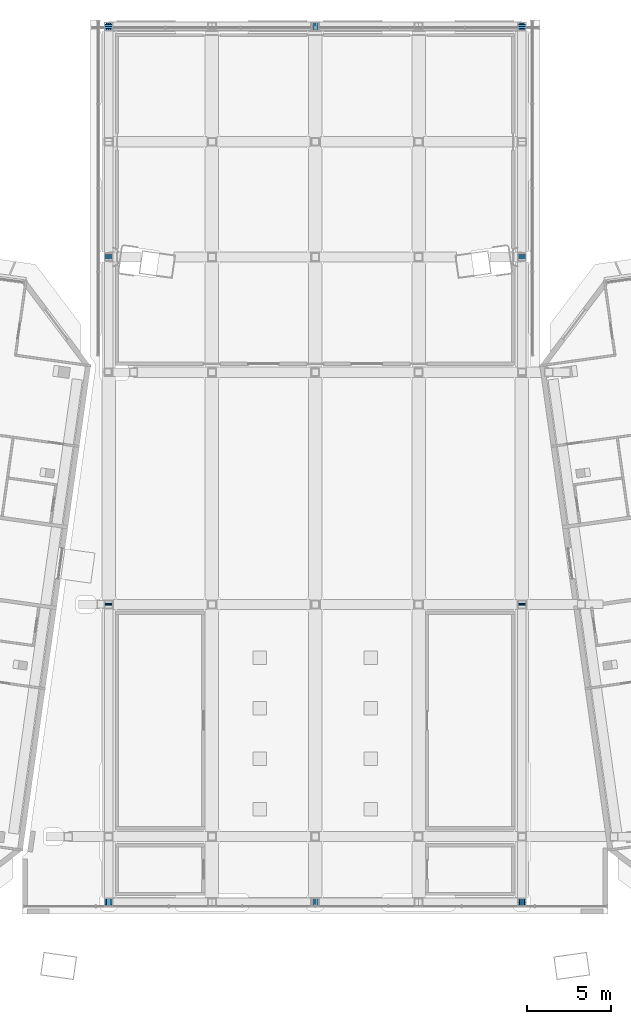
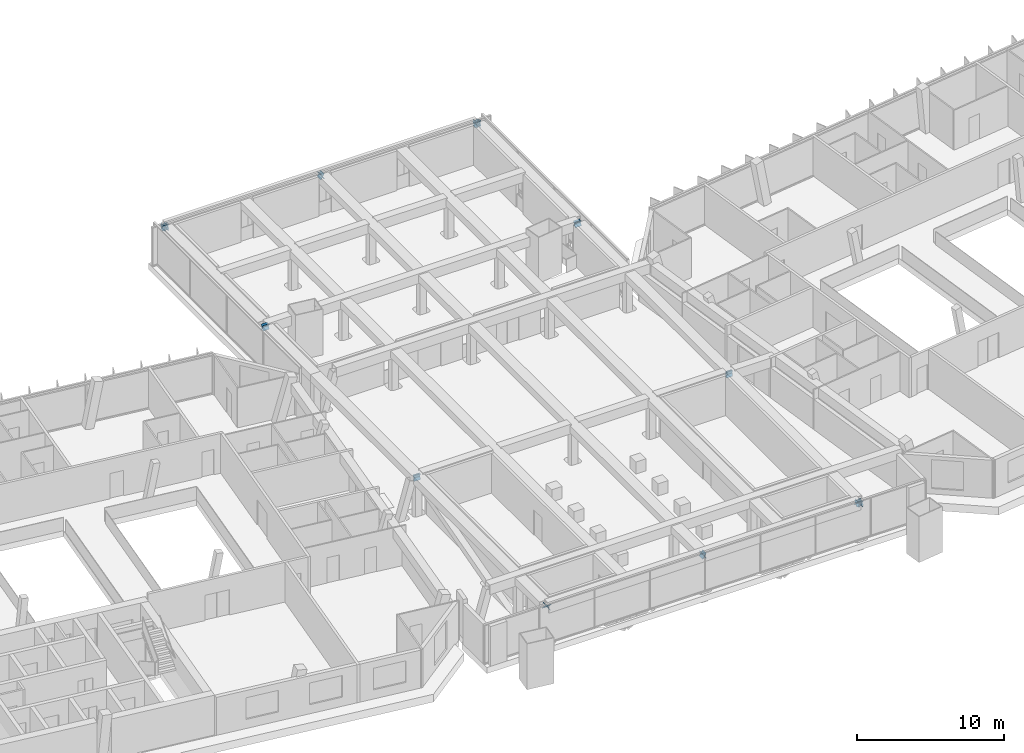
# One storey, part 23 of 28: 26 discrete accessories.
"""IFC4 building model written with IfcOpenShell, lengths in metres."""

from ifc_helpers import new_model, si_unit, direction, frame, origin, origin_2d, place, context, subcontext, project, spatial, rectangle, extrude, material, material_profile, profile_set, type_object, element, save


model = new_model("IFC4")

# Units and contexts
model_context = context("Model", 3, precision=1e-05, world=origin(), true_north=direction((0.0, 1.0)))
body_context = subcontext(model_context, "Body", "Model", "MODEL_VIEW")
ifc_project = project(units=[si_unit("LENGTHUNIT", "METRE"), si_unit("AREAUNIT", "SQUARE_METRE"), si_unit("VOLUMEUNIT", "CUBIC_METRE"), si_unit("PLANEANGLEUNIT", "RADIAN"), si_unit("MASSUNIT", "GRAM", prefix="KILO")], contexts=[model_context])

# Site, building, storey
site_placement = place(None, origin())
site = spatial("IfcSite", under=ifc_project, at=site_placement, CompositionType="ELEMENT")
building_placement = place(site_placement, origin())
building = spatial("IfcBuilding", under=site, at=building_placement, Name="Mirante Cascada Hotel Towers", CompositionType="ELEMENT")
storey_placement = place(building_placement, frame((0.0, 0.0, 262.2)))
storey = spatial("IfcBuildingStorey", under=building, at=storey_placement, Name="L63", CompositionType="ELEMENT", Elevation=262.2)

# Discrete accessories
ifc_material = material(Name="Steel ASTM A572 Gr 50", Category="steel")
ifc_material_profile = material_profile(ifc_material, rectangle(XDim=0.5, YDim=0.5, at=origin_2d()), Name="Connection plate 500x500x25 ASTM A572 Gr 50")
ifc_profile_set = profile_set([ifc_material_profile], Name="Steel ASTM A572 Gr 50")
discrete_accessory_type = type_object("IfcDiscreteAccessoryType", Name="Connection plate 500x500x25 ASTM A572 Gr 50", PredefinedType="BRACKET", material=ifc_profile_set)
for number, where, z_axis, x_axis, name in (
    (1, (-12.2514, -3.8626, 2.8967), (0.0, 0.9644862, 0.2641332), (-1.0, 0.0, 0.0), "Connection plate SP-D1"),
    (2, (-12.2514, 16.7366, 2.8939), (0.0, 0.8726425, 0.4883596), (-1.0, 0.0, 0.0), "Connection plate SP-D1"),
    (3, (-12.2514, 16.7584, 2.8939), (0.0, -0.8726425, 0.4883596), (1.0, 0.0, 0.0), "Connection plate SP-D1"),
    (4, (-12.2514, 30.4033, 2.8939), (0.0, 0.8726425, 0.4883596), (-1.0, 0.0, 0.0), "Connection plate SP-D1"),
    (5, (12.2514, -21.5063, 2.8913), (0.0, -0.7170505, 0.6970212), (1.0, 0.0, 0.0), "Connection plate SP-D5"),
    (6, (12.2514, -3.8626, 2.8967), (0.0, 0.9644862, 0.2641332), (-1.0, 0.0, 0.0), "Connection plate SP-D5"),
    (7, (12.2514, 16.7366, 2.8939), (0.0, 0.8726425, 0.4883596), (-1.0, 0.0, 0.0), "Connection plate SP-D5"),
    (8, (12.2514, 16.7584, 2.8939), (0.0, -0.8726425, 0.4883596), (1.0, 0.0, 0.0), "Connection plate SP-D5"),
    (9, (12.2514, 30.4033, 2.8939), (0.0, 0.8726425, 0.4883596), (-1.0, 0.0, 0.0), "Connection plate SP-D5"),
):
    element("IfcDiscreteAccessory", number, at=place(storey_placement, frame(where, z_axis=z_axis, x_axis=x_axis)), inside=storey, type_object=discrete_accessory_type, Name=name, PredefinedType="BRACKET", context=body_context, shape_type="SweptSolid", body=[
        extrude(rectangle(XDim=0.5, YDim=0.5, at=origin_2d()), origin(), (0.0, 0.0, 1.0), 0.025),
    ])
discrete_accessory_1_placement = place(storey_placement, frame((-12.2407, 30.4142, 2.8934), z_axis=(-0.8500099, 0.0, 0.5267667), x_axis=(0.0, -1.0, 0.0)))
element("IfcDiscreteAccessory", 10, at=discrete_accessory_1_placement, inside=storey, type_object=discrete_accessory_type, Name="Connection plate SP-ETD", PredefinedType="BRACKET", context=body_context, shape_type="SweptSolid", body=[
    extrude(rectangle(XDim=0.5, YDim=0.5, at=origin_2d()), origin(), (0.0, 0.0, 1.0), 0.0251),
])
for number, where, z_axis, x_axis, name in (
    (11, (-0.0106, 30.4142, 2.8934), (0.8488969, 0.0, 0.5285585), (0.0, 1.0, 0.0), "Connection plate SP-ETD"),
    (12, (0.0106, 30.4142, 2.8934), (-0.8488969, 0.0, 0.5285585), (0.0, -1.0, 0.0), "Connection plate SP-ETD"),
):
    element("IfcDiscreteAccessory", number, at=place(storey_placement, frame(where, z_axis=z_axis, x_axis=x_axis)), inside=storey, type_object=discrete_accessory_type, Name=name, PredefinedType="BRACKET", context=body_context, shape_type="SweptSolid", body=[
        extrude(rectangle(XDim=0.5, YDim=0.5, at=origin_2d()), origin(), (0.0, 0.0, 1.0), 0.025),
    ])
discrete_accessory_2_placement = place(storey_placement, frame((12.2407, 30.4142, 2.8934), z_axis=(0.8500099, 0.0, 0.5267667), x_axis=(0.0, 1.0, 0.0)))
element("IfcDiscreteAccessory", 13, at=discrete_accessory_2_placement, inside=storey, type_object=discrete_accessory_type, Name="Connection plate SP-ETD", PredefinedType="BRACKET", context=body_context, shape_type="SweptSolid", body=[
    extrude(rectangle(XDim=0.5, YDim=0.5, at=origin_2d()), origin(), (0.0, 0.0, 1.0), 0.0251),
])
for number, where, z_axis, x_axis, name in (
    (14, (-0.0106, -21.5153, 2.8934), (0.8488969, 0.0, 0.5285585), (0.0, 1.0, 0.0), "Connection plate SP-ERD"),
    (15, (0.0106, -21.5153, 2.8934), (-0.8488969, 0.0, 0.5285585), (0.0, -1.0, 0.0), "Connection plate SP-ERD"),
):
    element("IfcDiscreteAccessory", number, at=place(storey_placement, frame(where, z_axis=z_axis, x_axis=x_axis)), inside=storey, type_object=discrete_accessory_type, Name=name, PredefinedType="BRACKET", context=body_context, shape_type="SweptSolid", body=[
        extrude(rectangle(XDim=0.5, YDim=0.5, at=origin_2d()), origin(), (0.0, 0.0, 1.0), 0.025),
    ])
discrete_accessory_3_placement = place(storey_placement, frame((12.2407, -21.5153, 2.8934), z_axis=(0.8500099, 0.0, 0.5267667), x_axis=(0.0, 1.0, 0.0)))
element("IfcDiscreteAccessory", 16, at=discrete_accessory_3_placement, inside=storey, type_object=discrete_accessory_type, Name="Connection plate SP-ERD", PredefinedType="BRACKET", context=body_context, shape_type="SweptSolid", body=[
    extrude(rectangle(XDim=0.5, YDim=0.5, at=origin_2d()), origin(), (0.0, 0.0, 1.0), 0.0251),
])
for number, where, z_axis, x_axis, name in (
    (17, (-12.2514, -21.5242, 2.8913), (0.0, 0.7170505, 0.6970212), (-1.0, 0.0, 0.0), "Connection plate SP-D1"),
    (18, (-12.2514, -3.8385, 2.8967), (0.0, -0.9644862, 0.2641332), (1.0, 0.0, 0.0), "Connection plate SP-D1"),
    (19, (-12.2514, 30.4251, 2.8939), (0.0, -0.8726425, 0.4883596), (1.0, 0.0, 0.0), "Connection plate SP-D1"),
    (20, (12.2514, -21.5242, 2.8913), (0.0, 0.7170505, 0.6970212), (-1.0, 0.0, 0.0), "Connection plate SP-D5"),
    (21, (12.2514, -3.8385, 2.8967), (0.0, -0.9644862, 0.2641332), (1.0, 0.0, 0.0), "Connection plate SP-D5"),
    (22, (12.2514, 30.4251, 2.8939), (0.0, -0.8726425, 0.4883596), (1.0, 0.0, 0.0), "Connection plate SP-D5"),
):
    element("IfcDiscreteAccessory", number, at=place(storey_placement, frame(where, z_axis=z_axis, x_axis=x_axis)), inside=storey, type_object=discrete_accessory_type, Name=name, PredefinedType="BRACKET", context=body_context, shape_type="SweptSolid", body=[
        extrude(rectangle(XDim=0.5, YDim=0.5, at=origin_2d()), origin(), (0.0, 0.0, 1.0), 0.025),
    ])
for number, where, z_axis, x_axis, name in (
    (23, (-12.262, 30.4142, 2.8934), (0.8500099, 0.0, 0.5267667), (0.0, 1.0, 0.0), "Connection plate SP-ETD"),
    (24, (12.262, 30.4142, 2.8934), (-0.8500099, 0.0, 0.5267667), (0.0, -1.0, 0.0), "Connection plate SP-ETD"),
    (25, (-12.262, -21.5153, 2.8934), (0.8500099, 0.0, 0.5267667), (0.0, 1.0, 0.0), "Connection plate SP-ERD"),
    (26, (12.262, -21.5153, 2.8934), (-0.8500099, 0.0, 0.5267667), (0.0, -1.0, 0.0), "Connection plate SP-ERD"),
):
    element("IfcDiscreteAccessory", number, at=place(storey_placement, frame(where, z_axis=z_axis, x_axis=x_axis)), inside=storey, type_object=discrete_accessory_type, Name=name, PredefinedType="BRACKET", context=body_context, shape_type="SweptSolid", body=[
        extrude(rectangle(XDim=0.5, YDim=0.5, at=origin_2d()), origin(), (0.0, 0.0, 1.0), 0.0251),
    ])

save(model, "model.ifc")
